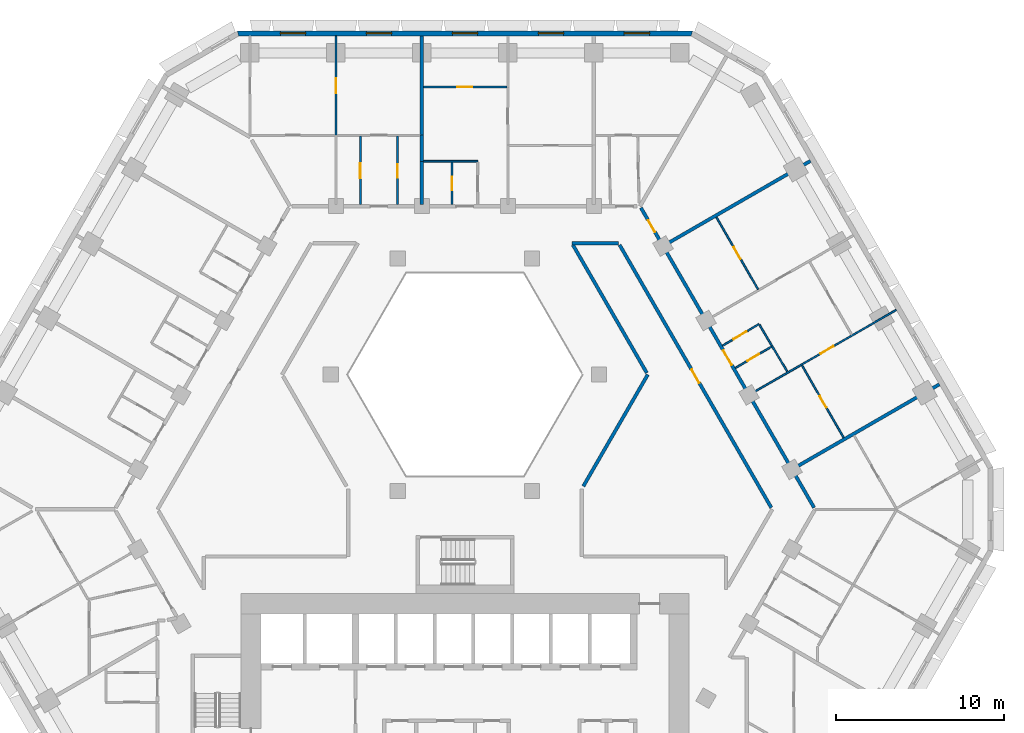
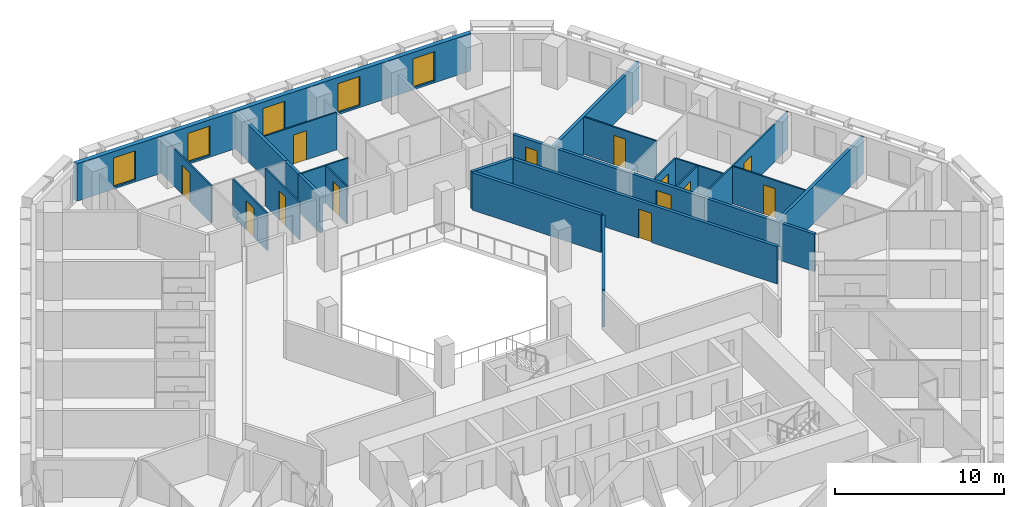
# One storey, part 9 of 16: 23 walls, 13 doors, 5 windows, 18 openings.
"""IFC4 building model written with IfcOpenShell, lengths in metres."""

from ifc_helpers import new_model, si_unit, direction, frame, frame_2d, origin, place, context, subcontext, project, spatial, polyline, rectangle, outline, extrude, material, layer, layer_set, type_object, element, fill, save


model = new_model("IFC4")

# Units and contexts
model_context = context("Model", 3, precision=1e-05, world=origin(), true_north=direction((0.0, 1.0)))
body_context = subcontext(model_context, "Body", "Model", "MODEL_VIEW")
ifc_project = project(units=[si_unit("LENGTHUNIT", "METRE"), si_unit("AREAUNIT", "SQUARE_METRE"), si_unit("VOLUMEUNIT", "CUBIC_METRE"), si_unit("PLANEANGLEUNIT", "RADIAN"), si_unit("MASSUNIT", "GRAM", prefix="KILO")], contexts=[model_context])

# Site, building, storey
site_placement = place(None, origin())
site = spatial("IfcSite", under=ifc_project, at=site_placement, CompositionType="ELEMENT")
building_placement = place(site_placement, origin())
building = spatial("IfcBuilding", under=site, at=building_placement, Name="Beryl Residences", CompositionType="ELEMENT")
storey_placement = place(building_placement, frame((0.0, 0.0, 32.39990234375)))
storey = spatial("IfcBuildingStorey", under=building, at=storey_placement, Name="L09", CompositionType="ELEMENT", Elevation=32.39990234375)

# Wall, openings, windows
ifc_material_1 = material(Name="Composite metal panel with mineral wool insulation")
ifc_layer_1 = layer(ifc_material_1, 0.300048828125)
ifc_layer_set_1 = layer_set([ifc_layer_1], Name="ES1 pale metal composite panel wall 300 mm")
wall_type_1 = type_object("IfcWallType", Name="ES1 pale metal composite panel wall 300 mm", PredefinedType="SOLIDWALL", material=ifc_layer_set_1)
wall_1_placement = place(storey_placement, frame((13.510009765625, 28.25, 0.0), z_axis=(0.0, 0.0, 1.0), x_axis=(-1.0, 0.0, 0.0)))
wall_1 = element("IfcWall", 1, at=wall_1_placement, inside=storey, type_object=wall_type_1, Name="ES1 external wall L09 N", PredefinedType="SOLIDWALL", context=body_context, shape_type="SweptSolid", body=[
    extrude(outline(polyline([(0.0, -0.14990234375), (27.02001953125, -0.14990234375), (26.939697265625, 0.14990234375), (0.080322265625, 0.14990234375), (0.0, -0.14990234375)])), origin(), (0.0, 0.0, 1.0), 2.7001953125),
])
opening_1_placement = place(wall_1_placement, frame((2.552978515625, 0.0, 0.14990234375)))
opening_1 = element("IfcOpeningElement", 2, at=opening_1_placement, cuts=wall_1, Name="Opening W1", PredefinedType="OPENING", context=body_context, shape_type="SweptSolid", body=[
    extrude(rectangle(XDim=1.5, YDim=2.10009765625, at=frame_2d((0.75, 1.050048828125))), frame((0.0, 0.159912109375, 0.0), z_axis=(0.0, -1.0, 0.0), x_axis=(1.0, 0.0, 0.0)), (0.0, 0.0, 1.0), 0.320068359375),
])
opening_2_placement = place(wall_1_placement, frame((7.656982421875, 0.0, 0.14990234375)))
opening_2 = element("IfcOpeningElement", 3, at=opening_2_placement, cuts=wall_1, Name="Opening W1", PredefinedType="OPENING", context=body_context, shape_type="SweptSolid", body=[
    extrude(rectangle(XDim=1.5, YDim=2.10009765625, at=frame_2d((0.75, 1.050048828125))), frame((0.0, 0.159912109375, 0.0), z_axis=(0.0, -1.0, 0.0), x_axis=(1.0, 0.0, 0.0)), (0.0, 0.0, 1.0), 0.320068359375),
])
opening_3_placement = place(wall_1_placement, frame((12.760986328125, 0.0, 0.14990234375)))
opening_3 = element("IfcOpeningElement", 4, at=opening_3_placement, cuts=wall_1, Name="Opening W1", PredefinedType="OPENING", context=body_context, shape_type="SweptSolid", body=[
    extrude(rectangle(XDim=1.5, YDim=2.10009765625, at=frame_2d((0.75, 1.050048828125))), frame((0.0, 0.159912109375, 0.0), z_axis=(0.0, -1.0, 0.0), x_axis=(1.0, 0.0, 0.0)), (0.0, 0.0, 1.0), 0.320068359375),
])
opening_4_placement = place(wall_1_placement, frame((17.864990234375, 0.0, 0.14990234375)))
opening_4 = element("IfcOpeningElement", 5, at=opening_4_placement, cuts=wall_1, Name="Opening W1", PredefinedType="OPENING", context=body_context, shape_type="SweptSolid", body=[
    extrude(rectangle(XDim=1.5, YDim=2.10009765625, at=frame_2d((0.75, 1.050048828125))), frame((0.0, 0.159912109375, 0.0), z_axis=(0.0, -1.0, 0.0), x_axis=(1.0, 0.0, 0.0)), (0.0, 0.0, 1.0), 0.320068359375),
])
opening_5_placement = place(wall_1_placement, frame((22.968994140625, 0.0, 0.14990234375)))
opening_5 = element("IfcOpeningElement", 6, at=opening_5_placement, cuts=wall_1, Name="Opening W1", PredefinedType="OPENING", context=body_context, shape_type="SweptSolid", body=[
    extrude(rectangle(XDim=1.5, YDim=2.10009765625, at=frame_2d((0.75, 1.050048828125))), frame((0.0, 0.159912109375, 0.0), z_axis=(0.0, -1.0, 0.0), x_axis=(1.0, 0.0, 0.0)), (0.0, 0.0, 1.0), 0.320068359375),
])
ifc_material_2 = material(Name="Aluminium and clear glass", Category="aluminium")
window_type = type_object("IfcWindowType", Name="W1 cell window 1500 x 2100 mm", PartitioningType="SINGLE_PANEL", PredefinedType="WINDOW", material=ifc_material_2)
window_1_placement = place(opening_1_placement, origin())
window_1 = element("IfcWindow", 7, at=window_1_placement, inside=storey, type_object=window_type, Name="W1 window L09 N 2", OverallHeight=2.10009765625, OverallWidth=1.5, PartitioningType="SINGLE_PANEL", PredefinedType="WINDOW", context=body_context, shape_type="SweptSolid", body=[
    extrude(rectangle(XDim=1.5, YDim=2.10009765625, at=frame_2d((0.75, 1.050048828125))), frame((0.0, 0.030029296875, 0.0), z_axis=(0.0, -1.0, 0.0), x_axis=(1.0, 0.0, 0.0)), (0.0, 0.0, 1.0), 0.06005859375),
])
fill(opening_1, window_1)
window_2_placement = place(opening_2_placement, origin())
window_2 = element("IfcWindow", 8, at=window_2_placement, inside=storey, type_object=window_type, Name="W1 window L09 N 4", OverallHeight=2.10009765625, OverallWidth=1.5, PartitioningType="SINGLE_PANEL", PredefinedType="WINDOW", context=body_context, shape_type="SweptSolid", body=[
    extrude(rectangle(XDim=1.5, YDim=2.10009765625, at=frame_2d((0.75, 1.050048828125))), frame((0.0, 0.030029296875, 0.0), z_axis=(0.0, -1.0, 0.0), x_axis=(1.0, 0.0, 0.0)), (0.0, 0.0, 1.0), 0.06005859375),
])
fill(opening_2, window_2)
window_3_placement = place(opening_3_placement, origin())
window_3 = element("IfcWindow", 9, at=window_3_placement, inside=storey, type_object=window_type, Name="W1 window L09 N 6", OverallHeight=2.10009765625, OverallWidth=1.5, PartitioningType="SINGLE_PANEL", PredefinedType="WINDOW", context=body_context, shape_type="SweptSolid", body=[
    extrude(rectangle(XDim=1.5, YDim=2.10009765625, at=frame_2d((0.75, 1.050048828125))), frame((0.0, 0.030029296875, 0.0), z_axis=(0.0, -1.0, 0.0), x_axis=(1.0, 0.0, 0.0)), (0.0, 0.0, 1.0), 0.06005859375),
])
fill(opening_3, window_3)
window_4_placement = place(opening_4_placement, origin())
window_4 = element("IfcWindow", 10, at=window_4_placement, inside=storey, type_object=window_type, Name="W1 window L09 N 8", OverallHeight=2.10009765625, OverallWidth=1.5, PartitioningType="SINGLE_PANEL", PredefinedType="WINDOW", context=body_context, shape_type="SweptSolid", body=[
    extrude(rectangle(XDim=1.5, YDim=2.10009765625, at=frame_2d((0.75, 1.050048828125))), frame((0.0, 0.030029296875, 0.0), z_axis=(0.0, -1.0, 0.0), x_axis=(1.0, 0.0, 0.0)), (0.0, 0.0, 1.0), 0.06005859375),
])
fill(opening_4, window_4)
window_5_placement = place(opening_5_placement, origin())
window_5 = element("IfcWindow", 11, at=window_5_placement, inside=storey, type_object=window_type, Name="W1 window L09 N 10", OverallHeight=2.10009765625, OverallWidth=1.5, PartitioningType="SINGLE_PANEL", PredefinedType="WINDOW", context=body_context, shape_type="SweptSolid", body=[
    extrude(rectangle(XDim=1.5, YDim=2.10009765625, at=frame_2d((0.75, 1.050048828125))), frame((0.0, 0.030029296875, 0.0), z_axis=(0.0, -1.0, 0.0), x_axis=(1.0, 0.0, 0.0)), (0.0, 0.0, 1.0), 0.06005859375),
])
fill(opening_5, window_5)

# Wall
ifc_material_3 = material(Name="Gypsum board partition on steel studs", Category="steel")
ifc_layer_2 = layer(ifc_material_3, 0.10009765625)
ifc_layer_set_2 = layer_set([ifc_layer_2], Name="PT1 partition 100 mm gypsum board on steel studs")
wall_type_2 = type_object("IfcWallType", Name="PT1 partition 100 mm gypsum board on steel studs", PredefinedType="PARTITIONING", material=ifc_layer_set_2)
wall_2_placement = place(storey_placement, frame((17.485107421875, 10.95703125, 0.0), z_axis=(0.0, 0.0, 1.0), x_axis=(0.510324709283, -0.859981796956, 0.0)))
element("IfcWall", 12, at=wall_2_placement, inside=storey, type_object=wall_type_2, Name="Wall PT1 L09 001", PredefinedType="PARTITIONING", context=body_context, shape_type="SweptSolid", body=[
    extrude(rectangle(XDim=3.21533203125, YDim=0.10009765625, at=frame_2d((1.607666015625, 0.0))), origin(), (0.0, 0.0, 1.0), 2.7001953125),
])

# Wall, opening, door
wall_3_placement = place(storey_placement, frame((14.927978515625, 17.343994140625, 0.0), z_axis=(0.0, 0.0, 1.0), x_axis=(0.500029609304, -0.86600830817, 0.0)))
wall_3 = element("IfcWall", 13, at=wall_3_placement, inside=storey, type_object=wall_type_2, Name="Wall PT1 L09 004", PredefinedType="PARTITIONING", context=body_context, shape_type="SweptSolid", body=[
    extrude(rectangle(XDim=4.953857421875, YDim=0.10009765625, at=frame_2d((2.47705078125, 0.0))), origin(), (0.0, 0.0, 1.0), 2.7001953125),
])
opening_6_placement = place(wall_3_placement, frame((2.052001953125, 0.0, 0.0)))
opening_6 = element("IfcOpeningElement", 14, at=opening_6_placement, cuts=wall_3, Name="Opening D0457", PredefinedType="OPENING", context=body_context, shape_type="SweptSolid", body=[
    extrude(rectangle(XDim=0.800048828125, YDim=2.10009765625, at=frame_2d((0.39990234375, 1.050048828125))), frame((0.0, 0.06005859375, 0.0), z_axis=(0.0, -1.0, 0.0), x_axis=(1.0, 0.0, 0.0)), (0.0, 0.0, 1.0), 0.1201171875),
])
ifc_material_4 = material(Name="Timber door leaf", Category="wood")
door_type_1 = type_object("IfcDoorType", Name="D3 bathroom door 800 x 2100 mm", OperationType="SINGLE_SWING_LEFT", PredefinedType="DOOR", material=ifc_material_4)
door_1_placement = place(opening_6_placement, origin())
door_1 = element("IfcDoor", 15, at=door_1_placement, inside=storey, type_object=door_type_1, Name="Door D0457 L09 001", OperationType="SINGLE_SWING_LEFT", OverallHeight=2.10009765625, OverallWidth=0.800048828125, PredefinedType="DOOR", context=body_context, shape_type="SweptSolid", body=[
    extrude(rectangle(XDim=0.800048828125, YDim=2.10009765625, at=frame_2d((0.39990234375, 1.050048828125))), frame((0.0, 0.02490234375, 0.0), z_axis=(0.0, -1.0, 0.0), x_axis=(1.0, 0.0, 0.0)), (0.0, 0.0, 1.0), 0.050048828125),
])
fill(opening_6, door_1)

wall_4_placement = place(storey_placement, frame((20.006103515625, 8.548095703125, 0.0), z_axis=(0.0, 0.0, 1.0), x_axis=(0.500055121407, -0.865993577086, 0.0)))
wall_4 = element("IfcWall", 16, at=wall_4_placement, inside=storey, type_object=wall_type_2, Name="Wall PT1 L09 005", PredefinedType="PARTITIONING", context=body_context, shape_type="SweptSolid", body=[
    extrude(rectangle(XDim=4.955078125, YDim=0.10009765625, at=frame_2d((2.4775390625, 0.0))), origin(), (0.0, 0.0, 1.0), 2.7001953125),
])
opening_7_placement = place(wall_4_placement, frame((2.10205078125, 0.0, 0.0)))
opening_7 = element("IfcOpeningElement", 17, at=opening_7_placement, cuts=wall_4, Name="Opening D0456", PredefinedType="OPENING", context=body_context, shape_type="SweptSolid", body=[
    extrude(rectangle(XDim=0.800048828125, YDim=2.10009765625, at=frame_2d((0.39990234375, 1.050048828125))), frame((0.0, 0.06005859375, 0.0), z_axis=(0.0, -1.0, 0.0), x_axis=(1.0, 0.0, 0.0)), (0.0, 0.0, 1.0), 0.1201171875),
])
door_2_placement = place(opening_7_placement, origin())
door_2 = element("IfcDoor", 18, at=door_2_placement, inside=storey, type_object=door_type_1, Name="Door D0456 L09 001", OperationType="SINGLE_SWING_RIGHT", OverallHeight=2.10009765625, OverallWidth=0.800048828125, PredefinedType="DOOR", context=body_context, shape_type="SweptSolid", body=[
    extrude(rectangle(XDim=0.800048828125, YDim=2.10009765625, at=frame_2d((0.39990234375, 1.050048828125))), frame((0.0, 0.02490234375, 0.0), z_axis=(0.0, -1.0, 0.0), x_axis=(1.0, 0.0, 0.0)), (0.0, 0.0, 1.0), 0.050048828125),
])
fill(opening_7, door_2)

# Wall
wall_5_placement = place(storey_placement, frame((-2.452880859375, 20.659912109375, 0.0), z_axis=(0.0, 0.0, 1.0), x_axis=(1.0, 0.0, 0.0)))
element("IfcWall", 19, at=wall_5_placement, inside=storey, type_object=wall_type_2, Name="Wall PT1 L09 035", PredefinedType="PARTITIONING", context=body_context, shape_type="SweptSolid", body=[
    extrude(rectangle(XDim=3.216796875, YDim=0.10009765625, at=frame_2d((1.6083984375, 0.0))), origin(), (0.0, 0.0, 1.0), 2.7001953125),
])

# Wall, opening, door
wall_6_placement = place(storey_placement, frame((-2.452880859375, 25.070068359375, 0.0), z_axis=(0.0, 0.0, 1.0), x_axis=(1.0, 0.0, 0.0)))
wall_6 = element("IfcWall", 20, at=wall_6_placement, inside=storey, type_object=wall_type_2, Name="Wall PT1 L09 039", PredefinedType="PARTITIONING", context=body_context, shape_type="SweptSolid", body=[
    extrude(rectangle(XDim=4.953857421875, YDim=0.10009765625, at=frame_2d((2.47705078125, 0.0))), origin(), (0.0, 0.0, 1.0), 2.7001953125),
])
opening_8_placement = place(wall_6_placement, frame((2.001953125, 0.0, 0.0)))
opening_8 = element("IfcOpeningElement", 21, at=opening_8_placement, cuts=wall_6, Name="Opening D0466", PredefinedType="OPENING", context=body_context, shape_type="SweptSolid", body=[
    extrude(rectangle(XDim=0.89990234375, YDim=2.10009765625, at=frame_2d((0.449951171875, 1.050048828125))), frame((0.0, 0.06005859375, 0.0), z_axis=(0.0, -1.0, 0.0), x_axis=(1.0, 0.0, 0.0)), (0.0, 0.0, 1.0), 0.1201171875),
])
ifc_material_5 = material(Name="Timber door leaf", Category="wood")
door_type_2 = type_object("IfcDoorType", Name="D2 room door 900 x 2100 mm", OperationType="SINGLE_SWING_LEFT", PredefinedType="DOOR", material=ifc_material_5)
door_3_placement = place(opening_8_placement, origin())
door_3 = element("IfcDoor", 22, at=door_3_placement, inside=storey, type_object=door_type_2, Name="Door D0466 L09 001", OperationType="SINGLE_SWING_RIGHT", OverallHeight=2.10009765625, OverallWidth=0.89990234375, PredefinedType="DOOR", context=body_context, shape_type="SweptSolid", body=[
    extrude(rectangle(XDim=0.89990234375, YDim=2.10009765625, at=frame_2d((0.449951171875, 1.050048828125))), frame((0.0, 0.02490234375, 0.0), z_axis=(0.0, -1.0, 0.0), x_axis=(1.0, 0.0, 0.0)), (0.0, 0.0, 1.0), 0.050048828125),
])
fill(opening_8, door_3)

wall_7_placement = place(storey_placement, frame((-4.0048828125, 18.10009765625, 0.0), z_axis=(0.0, 0.0, 1.0), x_axis=(0.0, 1.0, 0.0)))
wall_7 = element("IfcWall", 23, at=wall_7_placement, inside=storey, type_object=wall_type_2, Name="Wall PT1 L09 051", PredefinedType="PARTITIONING", context=body_context, shape_type="SweptSolid", body=[
    extrude(rectangle(XDim=4.0498046875, YDim=0.10009765625, at=frame_2d((2.02490234375, 0.0))), origin(), (0.0, 0.0, 1.0), 2.7001953125),
])
opening_9_placement = place(wall_7_placement, frame((1.60009765625, 0.0, 0.0)))
opening_9 = element("IfcOpeningElement", 24, at=opening_9_placement, cuts=wall_7, Name="Opening D0470", PredefinedType="OPENING", context=body_context, shape_type="SweptSolid", body=[
    extrude(rectangle(XDim=0.800048828125, YDim=2.10009765625, at=frame_2d((0.39990234375, 1.050048828125))), frame((0.0, 0.06005859375, 0.0), z_axis=(0.0, -1.0, 0.0), x_axis=(1.0, 0.0, 0.0)), (0.0, 0.0, 1.0), 0.1201171875),
])
door_4_placement = place(opening_9_placement, origin())
door_4 = element("IfcDoor", 25, at=door_4_placement, inside=storey, type_object=door_type_1, Name="Door D0470 L09 001", OperationType="SINGLE_SWING_RIGHT", OverallHeight=2.10009765625, OverallWidth=0.800048828125, PredefinedType="DOOR", context=body_context, shape_type="SweptSolid", body=[
    extrude(rectangle(XDim=0.800048828125, YDim=2.10009765625, at=frame_2d((0.39990234375, 1.050048828125))), frame((0.0, 0.02490234375, 0.0), z_axis=(0.0, -1.0, 0.0), x_axis=(1.0, 0.0, 0.0)), (0.0, 0.0, 1.0), 0.050048828125),
])
fill(opening_9, door_4)

wall_8_placement = place(storey_placement, frame((-6.205078125, 18.10009765625, 0.0), z_axis=(0.0, 0.0, 1.0), x_axis=(0.0, 1.0, 0.0)))
wall_8 = element("IfcWall", 26, at=wall_8_placement, inside=storey, type_object=wall_type_2, Name="Wall PT1 L09 052", PredefinedType="PARTITIONING", context=body_context, shape_type="SweptSolid", body=[
    extrude(rectangle(XDim=4.0498046875, YDim=0.10009765625, at=frame_2d((2.02490234375, 0.0))), origin(), (0.0, 0.0, 1.0), 2.7001953125),
])
opening_10_placement = place(wall_8_placement, frame((1.550048828125, 0.0, 0.0)))
opening_10 = element("IfcOpeningElement", 27, at=opening_10_placement, cuts=wall_8, Name="Opening D0471", PredefinedType="OPENING", context=body_context, shape_type="SweptSolid", body=[
    extrude(rectangle(XDim=0.89990234375, YDim=2.10009765625, at=frame_2d((0.449951171875, 1.050048828125))), frame((0.0, 0.06005859375, 0.0), z_axis=(0.0, -1.0, 0.0), x_axis=(1.0, 0.0, 0.0)), (0.0, 0.0, 1.0), 0.1201171875),
])
door_5_placement = place(opening_10_placement, origin())
door_5 = element("IfcDoor", 28, at=door_5_placement, inside=storey, type_object=door_type_2, Name="Door D0471 L09 001", OperationType="SINGLE_SWING_LEFT", OverallHeight=2.10009765625, OverallWidth=0.89990234375, PredefinedType="DOOR", context=body_context, shape_type="SweptSolid", body=[
    extrude(rectangle(XDim=0.89990234375, YDim=2.10009765625, at=frame_2d((0.449951171875, 1.050048828125))), frame((0.0, 0.02490234375, 0.0), z_axis=(0.0, -1.0, 0.0), x_axis=(1.0, 0.0, 0.0)), (0.0, 0.0, 1.0), 0.050048828125),
])
fill(opening_10, door_5)

wall_9_placement = place(storey_placement, frame((-0.76708984375, 18.10009765625, 0.0), z_axis=(0.0, 0.0, 1.0), x_axis=(0.0, 1.0, 0.0)))
wall_9 = element("IfcWall", 29, at=wall_9_placement, inside=storey, type_object=wall_type_2, Name="Wall PT1 L09 056", PredefinedType="PARTITIONING", context=body_context, shape_type="SweptSolid", body=[
    extrude(rectangle(XDim=2.510009765625, YDim=0.10009765625, at=frame_2d((1.2548828125, 0.0))), origin(), (0.0, 0.0, 1.0), 2.7001953125),
])
opening_11_placement = place(wall_9_placement, frame((0.830078125, 0.0, 0.0)))
opening_11 = element("IfcOpeningElement", 30, at=opening_11_placement, cuts=wall_9, Name="Opening D0465", PredefinedType="OPENING", context=body_context, shape_type="SweptSolid", body=[
    extrude(rectangle(XDim=0.800048828125, YDim=2.10009765625, at=frame_2d((0.39990234375, 1.050048828125))), frame((0.0, 0.06005859375, 0.0), z_axis=(0.0, -1.0, 0.0), x_axis=(1.0, 0.0, 0.0)), (0.0, 0.0, 1.0), 0.1201171875),
])
door_6_placement = place(opening_11_placement, origin())
door_6 = element("IfcDoor", 31, at=door_6_placement, inside=storey, type_object=door_type_1, Name="Door D0465 L09 001", OperationType="SINGLE_SWING_LEFT", OverallHeight=2.10009765625, OverallWidth=0.800048828125, PredefinedType="DOOR", context=body_context, shape_type="SweptSolid", body=[
    extrude(rectangle(XDim=0.800048828125, YDim=2.10009765625, at=frame_2d((0.39990234375, 1.050048828125))), frame((0.0, 0.02490234375, 0.0), z_axis=(0.0, -1.0, 0.0), x_axis=(1.0, 0.0, 0.0)), (0.0, 0.0, 1.0), 0.050048828125),
])
fill(opening_11, door_6)

wall_10_placement = place(storey_placement, frame((16.949951171875, 6.841064453125, 0.0), z_axis=(0.0, 0.0, 1.0), x_axis=(0.866022959057, 0.500004234368, 0.0)))
wall_10 = element("IfcWall", 32, at=wall_10_placement, inside=storey, type_object=wall_type_2, Name="Wall PT1 L09 065", PredefinedType="PARTITIONING", context=body_context, shape_type="SweptSolid", body=[
    extrude(rectangle(XDim=10.0, YDim=0.10009765625, at=frame_2d((5.0, 0.0))), origin(), (0.0, 0.0, 1.0), 2.7001953125),
])
opening_12_placement = place(wall_10_placement, frame((4.794921875, 0.0, 0.0)))
opening_12 = element("IfcOpeningElement", 33, at=opening_12_placement, cuts=wall_10, Name="Opening D0455", PredefinedType="OPENING", context=body_context, shape_type="SweptSolid", body=[
    extrude(rectangle(XDim=0.89990234375, YDim=2.10009765625, at=frame_2d((0.449951171875, 1.050048828125))), frame((0.0, 0.06005859375, 0.0), z_axis=(0.0, -1.0, 0.0), x_axis=(1.0, 0.0, 0.0)), (0.0, 0.0, 1.0), 0.1201171875),
])
door_7_placement = place(opening_12_placement, origin())
door_7 = element("IfcDoor", 34, at=door_7_placement, inside=storey, type_object=door_type_2, Name="Door D0455 L09 001", OperationType="SINGLE_SWING_LEFT", OverallHeight=2.10009765625, OverallWidth=0.89990234375, PredefinedType="DOOR", context=body_context, shape_type="SweptSolid", body=[
    extrude(rectangle(XDim=0.89990234375, YDim=2.10009765625, at=frame_2d((0.449951171875, 1.050048828125))), frame((0.0, 0.02490234375, 0.0), z_axis=(0.0, -1.0, 0.0), x_axis=(1.0, 0.0, 0.0)), (0.0, 0.0, 1.0), 0.050048828125),
])
fill(opening_12, door_7)

wall_11_placement = place(storey_placement, frame((16.056884765625, 8.388916015625, 0.0), z_axis=(0.0, 0.0, 1.0), x_axis=(0.860077993161, 0.510162567893, 0.0)))
wall_11 = element("IfcWall", 35, at=wall_11_placement, inside=storey, type_object=wall_type_2, Name="Wall PT1 L09 069", PredefinedType="PARTITIONING", context=body_context, shape_type="SweptSolid", body=[
    extrude(rectangle(XDim=2.489501953125, YDim=0.10009765625, at=frame_2d((1.24462890625, 0.0))), origin(), (0.0, 0.0, 1.0), 2.7001953125),
])
opening_13_placement = place(wall_11_placement, frame((0.819091796875, 0.0, 0.0)))
opening_13 = element("IfcOpeningElement", 36, at=opening_13_placement, cuts=wall_11, Name="Opening D0452", PredefinedType="OPENING", context=body_context, shape_type="SweptSolid", body=[
    extrude(rectangle(XDim=0.800048828125, YDim=2.10009765625, at=frame_2d((0.39990234375, 1.050048828125))), frame((0.0, 0.06005859375, 0.0), z_axis=(0.0, -1.0, 0.0), x_axis=(1.0, 0.0, 0.0)), (0.0, 0.0, 1.0), 0.1201171875),
])
door_8_placement = place(opening_13_placement, origin())
door_8 = element("IfcDoor", 37, at=door_8_placement, inside=storey, type_object=door_type_1, Name="Door D0452 L09 001", OperationType="SINGLE_SWING_RIGHT", OverallHeight=2.10009765625, OverallWidth=0.800048828125, PredefinedType="DOOR", context=body_context, shape_type="SweptSolid", body=[
    extrude(rectangle(XDim=0.800048828125, YDim=2.10009765625, at=frame_2d((0.39990234375, 1.050048828125))), frame((0.0, 0.02490234375, 0.0), z_axis=(0.0, -1.0, 0.0), x_axis=(1.0, 0.0, 0.0)), (0.0, 0.0, 1.0), 0.050048828125),
])
fill(opening_13, door_8)

wall_12_placement = place(storey_placement, frame((15.291015625, 9.715087890625, 0.0), z_axis=(0.0, 0.0, 1.0), x_axis=(0.860088508644, 0.51014483953, 0.0)))
wall_12 = element("IfcWall", 38, at=wall_12_placement, inside=storey, type_object=wall_type_2, Name="Wall PT1 L09 070", PredefinedType="PARTITIONING", context=body_context, shape_type="SweptSolid", body=[
    extrude(rectangle(XDim=2.520751953125, YDim=0.10009765625, at=frame_2d((1.26025390625, 0.0))), origin(), (0.0, 0.0, 1.0), 2.7001953125),
])
opening_14_placement = place(wall_12_placement, frame((0.760009765625, 0.0, 0.0)))
opening_14 = element("IfcOpeningElement", 39, at=opening_14_placement, cuts=wall_12, Name="Opening D0451", PredefinedType="OPENING", context=body_context, shape_type="SweptSolid", body=[
    extrude(rectangle(XDim=0.89990234375, YDim=2.10009765625, at=frame_2d((0.449951171875, 1.050048828125))), frame((0.0, 0.06005859375, 0.0), z_axis=(0.0, -1.0, 0.0), x_axis=(1.0, 0.0, 0.0)), (0.0, 0.0, 1.0), 0.1201171875),
])
door_9_placement = place(opening_14_placement, origin())
door_9 = element("IfcDoor", 40, at=door_9_placement, inside=storey, type_object=door_type_2, Name="Door D0451 L09 001", OperationType="SINGLE_SWING_LEFT", OverallHeight=2.10009765625, OverallWidth=0.89990234375, PredefinedType="DOOR", context=body_context, shape_type="SweptSolid", body=[
    extrude(rectangle(XDim=0.89990234375, YDim=2.10009765625, at=frame_2d((0.449951171875, 1.050048828125))), frame((0.0, 0.02490234375, 0.0), z_axis=(0.0, -1.0, 0.0), x_axis=(1.0, 0.0, 0.0)), (0.0, 0.0, 1.0), 0.050048828125),
])
fill(opening_14, door_9)

wall_13_placement = place(storey_placement, frame((-7.656982421875, 22.199951171875, 0.0), z_axis=(0.0, 0.0, 1.0), x_axis=(0.0, 1.0, 0.0)))
wall_13 = element("IfcWall", 41, at=wall_13_placement, inside=storey, type_object=wall_type_2, Name="Wall PT1 L09 076", PredefinedType="PARTITIONING", context=body_context, shape_type="SweptSolid", body=[
    extrude(rectangle(XDim=5.900146484375, YDim=0.10009765625, at=frame_2d((2.9501953125, 0.0))), origin(), (0.0, 0.0, 1.0), 2.7001953125),
])
opening_15_placement = place(wall_13_placement, frame((2.5, 0.0, 0.0)))
opening_15 = element("IfcOpeningElement", 42, at=opening_15_placement, cuts=wall_13, Name="Opening D0473", PredefinedType="OPENING", context=body_context, shape_type="SweptSolid", body=[
    extrude(rectangle(XDim=0.89990234375, YDim=2.10009765625, at=frame_2d((0.449951171875, 1.050048828125))), frame((0.0, 0.06005859375, 0.0), z_axis=(0.0, -1.0, 0.0), x_axis=(1.0, 0.0, 0.0)), (0.0, 0.0, 1.0), 0.1201171875),
])
door_10_placement = place(opening_15_placement, origin())
door_10 = element("IfcDoor", 43, at=door_10_placement, inside=storey, type_object=door_type_2, Name="Door D0473 L09 001", OperationType="SINGLE_SWING_LEFT", OverallHeight=2.10009765625, OverallWidth=0.89990234375, PredefinedType="DOOR", context=body_context, shape_type="SweptSolid", body=[
    extrude(rectangle(XDim=0.89990234375, YDim=2.10009765625, at=frame_2d((0.449951171875, 1.050048828125))), frame((0.0, 0.02490234375, 0.0), z_axis=(0.0, -1.0, 0.0), x_axis=(1.0, 0.0, 0.0)), (0.0, 0.0, 1.0), 0.050048828125),
])
fill(opening_15, door_10)

# Walls
ifc_material_6 = material(Name="Acoustic double stud gypsum board wall")
ifc_layer_3 = layer(ifc_material_6, 0.199951171875)
ifc_layer_set_3 = layer_set([ifc_layer_3], Name="PT3 party wall 200 mm acoustic double stud")
wall_type_3 = type_object("IfcWallType", Name="PT3 party wall 200 mm acoustic double stud", PredefinedType="PARTITIONING", material=ifc_layer_set_3)
wall_14_placement = place(storey_placement, frame((-2.552978515625, 22.219970703125, 0.0), z_axis=(0.0, 0.0, 1.0), x_axis=(0.0, -1.0, 0.0)))
element("IfcWall", 44, at=wall_14_placement, inside=storey, type_object=wall_type_3, Name="Wall PT3 L09 002", PredefinedType="PARTITIONING", context=body_context, shape_type="SweptSolid", body=[
    extrude(rectangle(XDim=1.56005859375, YDim=0.199951171875, at=frame_2d((0.780029296875, 0.0))), origin(), (0.0, 0.0, 1.0), 2.7001953125),
])
wall_15_placement = place(storey_placement, frame((-2.552978515625, 18.10009765625, 0.0), z_axis=(0.0, 0.0, 1.0), x_axis=(0.0, 1.0, 0.0)))
element("IfcWall", 45, at=wall_15_placement, inside=storey, type_object=wall_type_3, Name="Wall PT3 L09 018", PredefinedType="PARTITIONING", context=body_context, shape_type="SweptSolid", body=[
    extrude(rectangle(XDim=2.559814453125, YDim=0.199951171875, at=frame_2d((1.27978515625, 0.0))), origin(), (0.0, 0.0, 1.0), 2.7001953125),
])
wall_16_placement = place(storey_placement, frame((-2.552978515625, 22.179931640625, 0.0), z_axis=(0.0, 0.0, 1.0), x_axis=(0.0, 1.0, 0.0)))
element("IfcWall", 46, at=wall_16_placement, inside=storey, type_object=wall_type_3, Name="Wall PT3 L09 019", PredefinedType="PARTITIONING", context=body_context, shape_type="SweptSolid", body=[
    extrude(rectangle(XDim=5.920166015625, YDim=0.199951171875, at=frame_2d((2.9599609375, 0.0))), origin(), (0.0, 0.0, 1.0), 2.7001953125),
])
wall_17_placement = place(storey_placement, frame((19.5029296875, 2.4208984375, 0.0), z_axis=(0.0, 0.0, 1.0), x_axis=(0.866065245018, 0.499930986609, 0.0)))
element("IfcWall", 47, at=wall_17_placement, inside=storey, type_object=wall_type_3, Name="Wall PT3 L09 021", PredefinedType="PARTITIONING", context=body_context, shape_type="SweptSolid", body=[
    extrude(rectangle(XDim=9.99951171875, YDim=0.199951171875, at=frame_2d((4.999755859375, 0.0))), origin(), (0.0, 0.0, 1.0), 2.7001953125),
])
wall_18_placement = place(storey_placement, frame((11.846923828125, 15.680908203125, 0.0), z_axis=(0.0, 0.0, 1.0), x_axis=(0.866022959057, 0.500004234368, 0.0)))
element("IfcWall", 48, at=wall_18_placement, inside=storey, type_object=wall_type_3, Name="Wall PT3 L09 023", PredefinedType="PARTITIONING", context=body_context, shape_type="SweptSolid", body=[
    extrude(rectangle(XDim=10.0, YDim=0.199951171875, at=frame_2d((5.0, 0.0))), origin(), (0.0, 0.0, 1.0), 2.7001953125),
])
ifc_material_7 = material(Name="Double stud gypsum board wall")
ifc_layer_4 = layer(ifc_material_7, 0.199951171875)
ifc_layer_set_4 = layer_set([ifc_layer_4], Name="PT4 corridor wall 200 mm double stud")
wall_type_4 = type_object("IfcWallType", Name="PT4 corridor wall 200 mm double stud", PredefinedType="PARTITIONING", material=ifc_layer_set_4)
wall_19_placement = place(storey_placement, frame((6.408935546875, 15.699951171875, 0.0), z_axis=(0.0, 0.0, 1.0), x_axis=(0.499930377127, -0.866065596838, 0.0)))
element("IfcWall", 49, at=wall_19_placement, inside=storey, type_object=wall_type_4, Name="Wall PT4 L09 004", PredefinedType="PARTITIONING", context=body_context, shape_type="SweptSolid", body=[
    extrude(rectangle(XDim=8.775146484375, YDim=0.199951171875, at=frame_2d((4.3876953125, 0.0))), origin(), (0.0, 0.0, 1.0), 2.7001953125),
])

# Wall, opening, door
wall_20_placement = place(storey_placement, frame((9.179931640625, 15.699951171875, 0.0), z_axis=(0.0, 0.0, 1.0), x_axis=(0.500003652032, -0.866023295272, 0.0)))
wall_20 = element("IfcWall", 50, at=wall_20_placement, inside=storey, type_object=wall_type_4, Name="Wall PT4 L09 005", PredefinedType="PARTITIONING", context=body_context, shape_type="SweptSolid", body=[
    extrude(rectangle(XDim=18.011962890625, YDim=0.199951171875, at=frame_2d((9.005859375, 0.0))), origin(), (0.0, 0.0, 1.0), 2.7001953125),
])
opening_16_placement = place(wall_20_placement, frame((8.555908203125, 0.0, 0.0)))
opening_16 = element("IfcOpeningElement", 51, at=opening_16_placement, cuts=wall_20, Name="Opening D0477", PredefinedType="OPENING", context=body_context, shape_type="SweptSolid", body=[
    extrude(rectangle(XDim=0.89990234375, YDim=2.10009765625, at=frame_2d((0.449951171875, 1.050048828125))), frame((0.0, 0.10986328125, 0.0), z_axis=(0.0, -1.0, 0.0), x_axis=(1.0, 0.0, 0.0)), (0.0, 0.0, 1.0), 0.219970703125),
])
door_11_placement = place(opening_16_placement, origin())
door_11 = element("IfcDoor", 52, at=door_11_placement, inside=storey, type_object=door_type_2, Name="Door D0477 L09 001", OperationType="SINGLE_SWING_LEFT", OverallHeight=2.10009765625, OverallWidth=0.89990234375, PredefinedType="DOOR", context=body_context, shape_type="SweptSolid", body=[
    extrude(rectangle(XDim=0.89990234375, YDim=2.10009765625, at=frame_2d((0.449951171875, 1.050048828125))), frame((0.0, 0.02490234375, 0.0), z_axis=(0.0, -1.0, 0.0), x_axis=(1.0, 0.0, 0.0)), (0.0, 0.0, 1.0), 0.050048828125),
])
fill(opening_16, door_11)

# Wall, openings, doors
wall_21_placement = place(storey_placement, frame((10.449951171875, 17.89990234375, 0.0), z_axis=(0.0, 0.0, 1.0), x_axis=(0.500034352617, -0.866005569383, 0.0)))
wall_21 = element("IfcWall", 53, at=wall_21_placement, inside=storey, type_object=wall_type_4, Name="Wall PT4 L09 006", PredefinedType="PARTITIONING", context=body_context, shape_type="SweptSolid", body=[
    extrude(rectangle(XDim=20.552734375, YDim=0.199951171875, at=frame_2d((10.2763671875, 0.0))), origin(), (0.0, 0.0, 1.0), 2.7001953125),
])
opening_17_placement = place(wall_21_placement, frame((9.77490234375, 0.0, 0.0)))
opening_17 = element("IfcOpeningElement", 54, at=opening_17_placement, cuts=wall_21, Name="Opening D0450", PredefinedType="OPENING", context=body_context, shape_type="SweptSolid", body=[
    extrude(rectangle(XDim=1.0, YDim=2.10009765625, at=frame_2d((0.5, 1.050048828125))), frame((0.0, 0.10986328125, 0.0), z_axis=(0.0, -1.0, 0.0), x_axis=(1.0, 0.0, 0.0)), (0.0, 0.0, 1.0), 0.219970703125),
])
opening_18_placement = place(wall_21_placement, frame((0.85205078125, 0.0, 0.0)))
opening_18 = element("IfcOpeningElement", 55, at=opening_18_placement, cuts=wall_21, Name="Opening D0458", PredefinedType="OPENING", context=body_context, shape_type="SweptSolid", body=[
    extrude(rectangle(XDim=0.800048828125, YDim=2.10009765625, at=frame_2d((0.39990234375, 1.050048828125))), frame((0.0, 0.10986328125, 0.0), z_axis=(0.0, -1.0, 0.0), x_axis=(1.0, 0.0, 0.0)), (0.0, 0.0, 1.0), 0.219970703125),
])
ifc_material_8 = material(Name="Timber door leaf", Category="wood")
door_type_3 = type_object("IfcDoorType", Name="D1 flat entrance door 1000 x 2100 mm", OperationType="SINGLE_SWING_LEFT", PredefinedType="DOOR", material=ifc_material_8)
door_12_placement = place(opening_17_placement, origin())
door_12 = element("IfcDoor", 56, at=door_12_placement, inside=storey, type_object=door_type_3, Name="Door D0450 L09 001", OperationType="SINGLE_SWING_RIGHT", OverallHeight=2.10009765625, OverallWidth=1.0, PredefinedType="DOOR", context=body_context, shape_type="SweptSolid", body=[
    extrude(rectangle(XDim=1.0, YDim=2.10009765625, at=frame_2d((0.5, 1.050048828125))), frame((0.0, 0.02490234375, 0.0), z_axis=(0.0, -1.0, 0.0), x_axis=(1.0, 0.0, 0.0)), (0.0, 0.0, 1.0), 0.050048828125),
])
fill(opening_17, door_12)
door_13_placement = place(opening_18_placement, origin())
door_13 = element("IfcDoor", 57, at=door_13_placement, inside=storey, type_object=door_type_1, Name="Door D0458 L09 001", OperationType="SINGLE_SWING_RIGHT", OverallHeight=2.10009765625, OverallWidth=0.800048828125, PredefinedType="DOOR", context=body_context, shape_type="SweptSolid", body=[
    extrude(rectangle(XDim=0.800048828125, YDim=2.10009765625, at=frame_2d((0.39990234375, 1.050048828125))), frame((0.0, 0.02490234375, 0.0), z_axis=(0.0, -1.0, 0.0), x_axis=(1.0, 0.0, 0.0)), (0.0, 0.0, 1.0), 0.050048828125),
])
fill(opening_18, door_13)

# Walls
wall_22_placement = place(storey_placement, frame((6.35107421875, 15.800048828125, 0.0), z_axis=(0.0, 0.0, 1.0), x_axis=(1.0, 0.0, 0.0)))
element("IfcWall", 58, at=wall_22_placement, inside=storey, type_object=wall_type_4, Name="Wall PT4 L09 017", PredefinedType="PARTITIONING", context=body_context, shape_type="SweptSolid", body=[
    extrude(rectangle(XDim=2.77099609375, YDim=0.199951171875, at=frame_2d((1.385498046875, 0.0))), origin(), (0.0, 0.0, 1.0), 2.7001953125),
])
wall_23_placement = place(storey_placement, frame((7.028076171875, 1.373046875, 0.0), z_axis=(0.0, 0.0, 1.0), x_axis=(0.49998574534, 0.86603363356, 0.0)))
element("IfcWall", 59, at=wall_23_placement, inside=storey, type_object=wall_type_4, Name="Wall PT4 L09 019", PredefinedType="PARTITIONING", context=body_context, shape_type="SweptSolid", body=[
    extrude(rectangle(XDim=7.652099609375, YDim=0.199951171875, at=frame_2d((3.826171875, 0.0))), origin(), (0.0, 0.0, 1.0), 2.7001953125),
])

save(model, "model.ifc")
